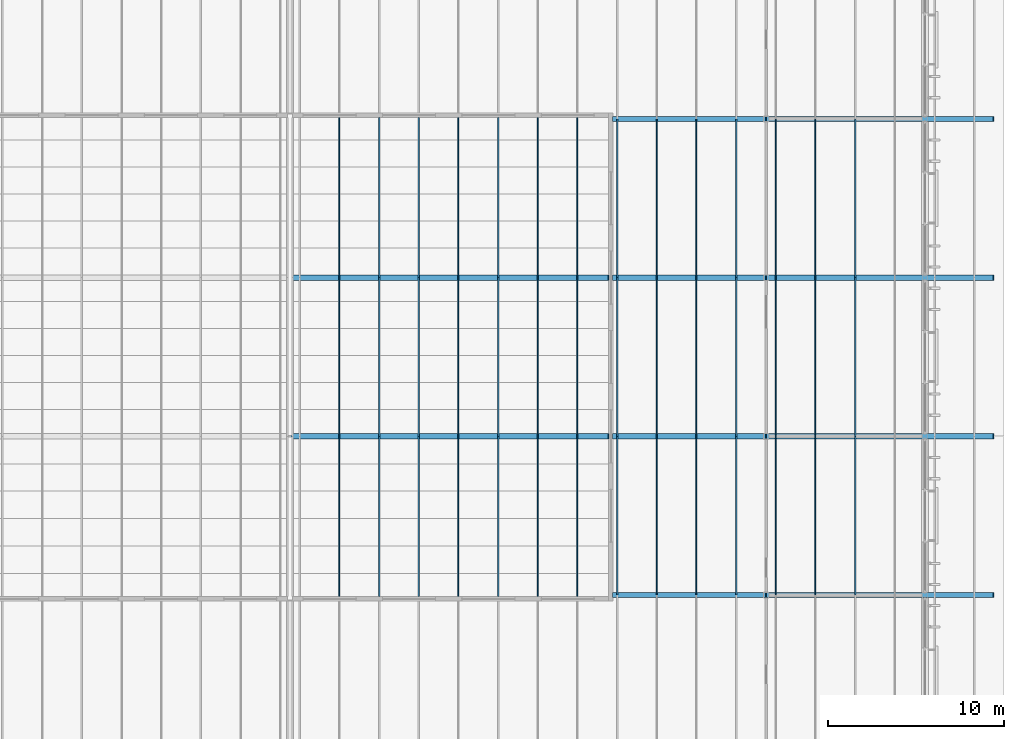
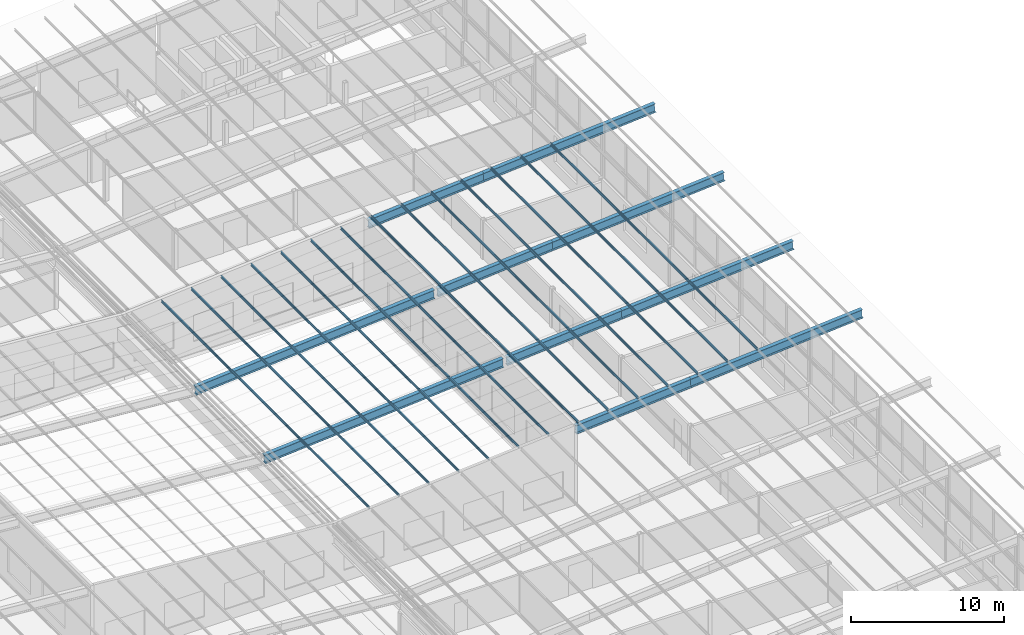
# One storey, part 45 of 85: 52 members.
"""IFC4 building model written with IfcOpenShell, lengths in metres."""

from ifc_helpers import new_model, si_unit, direction, frame, origin, origin_2d, place, context, subcontext, project, spatial, polyline, i_section, outline, extrude, material, material_profile, profile_set, type_object, element, save


model = new_model("IFC4")

# Units and contexts
model_context = context("Model", 3, precision=1e-05, world=origin(), true_north=direction((0.0, 1.0)))
body_context = subcontext(model_context, "Body", "Model", "MODEL_VIEW")
ifc_project = project(units=[si_unit("LENGTHUNIT", "METRE"), si_unit("AREAUNIT", "SQUARE_METRE"), si_unit("VOLUMEUNIT", "CUBIC_METRE"), si_unit("PLANEANGLEUNIT", "RADIAN"), si_unit("MASSUNIT", "GRAM", prefix="KILO")], contexts=[model_context])

# Site, building, storey
site_placement = place(None, origin())
site = spatial("IfcSite", under=ifc_project, at=site_placement, CompositionType="ELEMENT")
building_placement = place(site_placement, origin())
building = spatial("IfcBuilding", under=site, at=building_placement, Name="Opaline Strait Convention Centre", CompositionType="ELEMENT")
storey_placement = place(building_placement, frame((0.0, 0.0, 17.0)))
storey = spatial("IfcBuildingStorey", under=building, at=storey_placement, Name="L03", CompositionType="ELEMENT", Elevation=17.0)

# Members
ifc_material = material(Name="Steel Q355B", Category="steel")
ifc_material_profile_1 = material_profile(ifc_material, outline(polyline([(-0.034912109375, -0.10009765625), (0.034912109375, -0.10009765625), (0.034912109375, -0.080078125), (0.032470703125, -0.080078125), (0.032470703125, -0.097412109375), (-0.032470703125, -0.097412109375), (-0.032470703125, 0.097412109375), (0.032470703125, 0.097412109375), (0.032470703125, 0.080078125), (0.034912109375, 0.080078125), (0.034912109375, 0.10009765625), (-0.034912109375, 0.10009765625), (-0.034912109375, -0.10009765625)])), Name="C 200x70x20x2.5")
ifc_profile_set_1 = profile_set([ifc_material_profile_1], Name="Steel Q355B")
member_type_1 = type_object("IfcMemberType", Name="Roof purlin C 200x70x20x2.5", PredefinedType="PURLIN", material=ifc_profile_set_1)
member_1_placement = place(storey_placement, frame((326.800048828125, 125.925048828125, 5.02294921875), z_axis=(0.0, 1.0, 0.0), x_axis=(-0.996917333733, 0.0, 0.078459095728)))
element("IfcMember", 1, at=member_1_placement, inside=storey, type_object=member_type_1, Name="MRP1 purlin E wing 235", PredefinedType="PURLIN", context=body_context, shape_type="SweptSolid", body=[
    extrude(outline(polyline([(-0.034912109375, -0.10009765625), (0.034912109375, -0.10009765625), (0.034912109375, -0.080078125), (0.032470703125, -0.080078125), (0.032470703125, -0.097412109375), (-0.032470703125, -0.097412109375), (-0.032470703125, 0.097412109375), (0.032470703125, 0.097412109375), (0.032470703125, 0.080078125), (0.034912109375, 0.080078125), (0.034912109375, 0.10009765625), (-0.034912109375, 0.10009765625), (-0.034912109375, -0.10009765625)])), origin(), (0.0, 0.0, 1.0), 9.074951171875),
])
member_2_placement = place(storey_placement, frame((326.800048828125, 135.0, 5.02294921875), z_axis=(0.0, 1.0, 0.0), x_axis=(-0.996917333733, 0.0, 0.078459095728)))
element("IfcMember", 2, at=member_2_placement, inside=storey, type_object=member_type_1, Name="MRP1 purlin E wing 236", PredefinedType="PURLIN", context=body_context, shape_type="SweptSolid", body=[
    extrude(outline(polyline([(-0.034912109375, -0.10009765625), (0.034912109375, -0.10009765625), (0.034912109375, -0.080078125), (0.032470703125, -0.080078125), (0.032470703125, -0.097412109375), (-0.032470703125, -0.097412109375), (-0.032470703125, 0.097412109375), (0.032470703125, 0.097412109375), (0.032470703125, 0.080078125), (0.034912109375, 0.080078125), (0.034912109375, 0.10009765625), (-0.034912109375, 0.10009765625), (-0.034912109375, -0.10009765625)])), origin(), (0.0, 0.0, 1.0), 9.0),
])
for number, where, z_axis, x_axis, name in (
    (3, (326.800048828125, 144.0, 5.02294921875), (0.0, 1.0, 0.0), (-0.996917333733, 0.0, 0.078459095728), "MRP1 purlin E wing 237"),
    (4, (329.050048828125, 125.925048828125, 5.199951171875), (0.0, 1.0, 0.0), (-0.996917333733, 0.0, 0.078459095728), "MRP1 purlin E wing 245"),
):
    element("IfcMember", number, at=place(storey_placement, frame(where, z_axis=z_axis, x_axis=x_axis)), inside=storey, type_object=member_type_1, Name=name, PredefinedType="PURLIN", context=body_context, shape_type="SweptSolid", body=[
        extrude(outline(polyline([(-0.034912109375, -0.10009765625), (0.034912109375, -0.10009765625), (0.034912109375, -0.080078125), (0.032470703125, -0.080078125), (0.032470703125, -0.097412109375), (-0.032470703125, -0.097412109375), (-0.032470703125, 0.097412109375), (0.032470703125, 0.097412109375), (0.032470703125, 0.080078125), (0.034912109375, 0.080078125), (0.034912109375, 0.10009765625), (-0.034912109375, 0.10009765625), (-0.034912109375, -0.10009765625)])), origin(), (0.0, 0.0, 1.0), 9.074951171875),
    ])
member_3_placement = place(storey_placement, frame((329.050048828125, 135.0, 5.199951171875), z_axis=(0.0, 1.0, 0.0), x_axis=(-0.996917333733, 0.0, 0.078459095728)))
element("IfcMember", 5, at=member_3_placement, inside=storey, type_object=member_type_1, Name="MRP1 purlin E wing 246", PredefinedType="PURLIN", context=body_context, shape_type="SweptSolid", body=[
    extrude(outline(polyline([(-0.034912109375, -0.10009765625), (0.034912109375, -0.10009765625), (0.034912109375, -0.080078125), (0.032470703125, -0.080078125), (0.032470703125, -0.097412109375), (-0.032470703125, -0.097412109375), (-0.032470703125, 0.097412109375), (0.032470703125, 0.097412109375), (0.032470703125, 0.080078125), (0.034912109375, 0.080078125), (0.034912109375, 0.10009765625), (-0.034912109375, 0.10009765625), (-0.034912109375, -0.10009765625)])), origin(), (0.0, 0.0, 1.0), 9.0),
])
for number, where, z_axis, x_axis, name in (
    (6, (329.050048828125, 144.0, 5.199951171875), (0.0, 1.0, 0.0), (-0.996917333733, 0.0, 0.078459095728), "MRP1 purlin E wing 247"),
    (7, (331.300048828125, 125.925048828125, 5.376953125), (0.0, 1.0, 0.0), (-0.996917333733, 0.0, 0.078459095728), "MRP1 purlin E wing 255"),
):
    element("IfcMember", number, at=place(storey_placement, frame(where, z_axis=z_axis, x_axis=x_axis)), inside=storey, type_object=member_type_1, Name=name, PredefinedType="PURLIN", context=body_context, shape_type="SweptSolid", body=[
        extrude(outline(polyline([(-0.034912109375, -0.10009765625), (0.034912109375, -0.10009765625), (0.034912109375, -0.080078125), (0.032470703125, -0.080078125), (0.032470703125, -0.097412109375), (-0.032470703125, -0.097412109375), (-0.032470703125, 0.097412109375), (0.032470703125, 0.097412109375), (0.032470703125, 0.080078125), (0.034912109375, 0.080078125), (0.034912109375, 0.10009765625), (-0.034912109375, 0.10009765625), (-0.034912109375, -0.10009765625)])), origin(), (0.0, 0.0, 1.0), 9.074951171875),
    ])
member_4_placement = place(storey_placement, frame((331.300048828125, 135.0, 5.376953125), z_axis=(0.0, 1.0, 0.0), x_axis=(-0.996917333733, 0.0, 0.078459095728)))
element("IfcMember", 8, at=member_4_placement, inside=storey, type_object=member_type_1, Name="MRP1 purlin E wing 256", PredefinedType="PURLIN", context=body_context, shape_type="SweptSolid", body=[
    extrude(outline(polyline([(-0.034912109375, -0.10009765625), (0.034912109375, -0.10009765625), (0.034912109375, -0.080078125), (0.032470703125, -0.080078125), (0.032470703125, -0.097412109375), (-0.032470703125, -0.097412109375), (-0.032470703125, 0.097412109375), (0.032470703125, 0.097412109375), (0.032470703125, 0.080078125), (0.034912109375, 0.080078125), (0.034912109375, 0.10009765625), (-0.034912109375, 0.10009765625), (-0.034912109375, -0.10009765625)])), origin(), (0.0, 0.0, 1.0), 9.0),
])
for number, where, z_axis, x_axis, name in (
    (9, (331.300048828125, 144.0, 5.376953125), (0.0, 1.0, 0.0), (-0.996917333733, 0.0, 0.078459095728), "MRP1 purlin E wing 257"),
    (10, (333.550048828125, 125.925048828125, 5.553955078125), (0.0, 1.0, 0.0), (-0.996917333733, 0.0, 0.078459095728), "MRP1 purlin E wing 265"),
):
    element("IfcMember", number, at=place(storey_placement, frame(where, z_axis=z_axis, x_axis=x_axis)), inside=storey, type_object=member_type_1, Name=name, PredefinedType="PURLIN", context=body_context, shape_type="SweptSolid", body=[
        extrude(outline(polyline([(-0.034912109375, -0.10009765625), (0.034912109375, -0.10009765625), (0.034912109375, -0.080078125), (0.032470703125, -0.080078125), (0.032470703125, -0.097412109375), (-0.032470703125, -0.097412109375), (-0.032470703125, 0.097412109375), (0.032470703125, 0.097412109375), (0.032470703125, 0.080078125), (0.034912109375, 0.080078125), (0.034912109375, 0.10009765625), (-0.034912109375, 0.10009765625), (-0.034912109375, -0.10009765625)])), origin(), (0.0, 0.0, 1.0), 9.074951171875),
    ])
member_5_placement = place(storey_placement, frame((333.550048828125, 135.0, 5.553955078125), z_axis=(0.0, 1.0, 0.0), x_axis=(-0.996917333733, 0.0, 0.078459095728)))
element("IfcMember", 11, at=member_5_placement, inside=storey, type_object=member_type_1, Name="MRP1 purlin E wing 266", PredefinedType="PURLIN", context=body_context, shape_type="SweptSolid", body=[
    extrude(outline(polyline([(-0.034912109375, -0.10009765625), (0.034912109375, -0.10009765625), (0.034912109375, -0.080078125), (0.032470703125, -0.080078125), (0.032470703125, -0.097412109375), (-0.032470703125, -0.097412109375), (-0.032470703125, 0.097412109375), (0.032470703125, 0.097412109375), (0.032470703125, 0.080078125), (0.034912109375, 0.080078125), (0.034912109375, 0.10009765625), (-0.034912109375, 0.10009765625), (-0.034912109375, -0.10009765625)])), origin(), (0.0, 0.0, 1.0), 9.0),
])
for number, where, z_axis, x_axis, name in (
    (12, (333.550048828125, 144.0, 5.553955078125), (0.0, 1.0, 0.0), (-0.996917333733, 0.0, 0.078459095728), "MRP1 purlin E wing 267"),
    (13, (335.800048828125, 125.925048828125, 5.731201171875), (0.0, 1.0, 0.0), (-0.996917333733, 0.0, 0.078459095728), "MRP1 purlin E wing 275"),
):
    element("IfcMember", number, at=place(storey_placement, frame(where, z_axis=z_axis, x_axis=x_axis)), inside=storey, type_object=member_type_1, Name=name, PredefinedType="PURLIN", context=body_context, shape_type="SweptSolid", body=[
        extrude(outline(polyline([(-0.034912109375, -0.10009765625), (0.034912109375, -0.10009765625), (0.034912109375, -0.080078125), (0.032470703125, -0.080078125), (0.032470703125, -0.097412109375), (-0.032470703125, -0.097412109375), (-0.032470703125, 0.097412109375), (0.032470703125, 0.097412109375), (0.032470703125, 0.080078125), (0.034912109375, 0.080078125), (0.034912109375, 0.10009765625), (-0.034912109375, 0.10009765625), (-0.034912109375, -0.10009765625)])), origin(), (0.0, 0.0, 1.0), 9.074951171875),
    ])
member_6_placement = place(storey_placement, frame((335.800048828125, 135.0, 5.731201171875), z_axis=(0.0, 1.0, 0.0), x_axis=(-0.996917333733, 0.0, 0.078459095728)))
element("IfcMember", 14, at=member_6_placement, inside=storey, type_object=member_type_1, Name="MRP1 purlin E wing 276", PredefinedType="PURLIN", context=body_context, shape_type="SweptSolid", body=[
    extrude(outline(polyline([(-0.034912109375, -0.10009765625), (0.034912109375, -0.10009765625), (0.034912109375, -0.080078125), (0.032470703125, -0.080078125), (0.032470703125, -0.097412109375), (-0.032470703125, -0.097412109375), (-0.032470703125, 0.097412109375), (0.032470703125, 0.097412109375), (0.032470703125, 0.080078125), (0.034912109375, 0.080078125), (0.034912109375, 0.10009765625), (-0.034912109375, 0.10009765625), (-0.034912109375, -0.10009765625)])), origin(), (0.0, 0.0, 1.0), 9.0),
])
for number, where, z_axis, x_axis, name in (
    (15, (335.800048828125, 144.0, 5.731201171875), (0.0, 1.0, 0.0), (-0.996917333733, 0.0, 0.078459095728), "MRP1 purlin E wing 277"),
    (16, (338.050048828125, 125.925048828125, 5.908203125), (0.0, 1.0, 0.0), (-0.996917333733, 0.0, 0.078459095728), "MRP1 purlin E wing 285"),
):
    element("IfcMember", number, at=place(storey_placement, frame(where, z_axis=z_axis, x_axis=x_axis)), inside=storey, type_object=member_type_1, Name=name, PredefinedType="PURLIN", context=body_context, shape_type="SweptSolid", body=[
        extrude(outline(polyline([(-0.034912109375, -0.10009765625), (0.034912109375, -0.10009765625), (0.034912109375, -0.080078125), (0.032470703125, -0.080078125), (0.032470703125, -0.097412109375), (-0.032470703125, -0.097412109375), (-0.032470703125, 0.097412109375), (0.032470703125, 0.097412109375), (0.032470703125, 0.080078125), (0.034912109375, 0.080078125), (0.034912109375, 0.10009765625), (-0.034912109375, 0.10009765625), (-0.034912109375, -0.10009765625)])), origin(), (0.0, 0.0, 1.0), 9.074951171875),
    ])
member_7_placement = place(storey_placement, frame((338.050048828125, 135.0, 5.908203125), z_axis=(0.0, 1.0, 0.0), x_axis=(-0.996917333733, 0.0, 0.078459095728)))
element("IfcMember", 17, at=member_7_placement, inside=storey, type_object=member_type_1, Name="MRP1 purlin E wing 286", PredefinedType="PURLIN", context=body_context, shape_type="SweptSolid", body=[
    extrude(outline(polyline([(-0.034912109375, -0.10009765625), (0.034912109375, -0.10009765625), (0.034912109375, -0.080078125), (0.032470703125, -0.080078125), (0.032470703125, -0.097412109375), (-0.032470703125, -0.097412109375), (-0.032470703125, 0.097412109375), (0.032470703125, 0.097412109375), (0.032470703125, 0.080078125), (0.034912109375, 0.080078125), (0.034912109375, 0.10009765625), (-0.034912109375, 0.10009765625), (-0.034912109375, -0.10009765625)])), origin(), (0.0, 0.0, 1.0), 9.0),
])
for number, where, z_axis, x_axis, name in (
    (18, (338.050048828125, 144.0, 5.908203125), (0.0, 1.0, 0.0), (-0.996917333733, 0.0, 0.078459095728), "MRP1 purlin E wing 287"),
    (19, (340.300048828125, 125.925048828125, 6.085205078125), (0.0, 1.0, 0.0), (-0.996917333733, 0.0, 0.078459095728), "MRP1 purlin E wing 295"),
):
    element("IfcMember", number, at=place(storey_placement, frame(where, z_axis=z_axis, x_axis=x_axis)), inside=storey, type_object=member_type_1, Name=name, PredefinedType="PURLIN", context=body_context, shape_type="SweptSolid", body=[
        extrude(outline(polyline([(-0.034912109375, -0.10009765625), (0.034912109375, -0.10009765625), (0.034912109375, -0.080078125), (0.032470703125, -0.080078125), (0.032470703125, -0.097412109375), (-0.032470703125, -0.097412109375), (-0.032470703125, 0.097412109375), (0.032470703125, 0.097412109375), (0.032470703125, 0.080078125), (0.034912109375, 0.080078125), (0.034912109375, 0.10009765625), (-0.034912109375, 0.10009765625), (-0.034912109375, -0.10009765625)])), origin(), (0.0, 0.0, 1.0), 9.074951171875),
    ])
member_8_placement = place(storey_placement, frame((340.300048828125, 135.0, 6.085205078125), z_axis=(0.0, 1.0, 0.0), x_axis=(-0.996917333733, 0.0, 0.078459095728)))
element("IfcMember", 20, at=member_8_placement, inside=storey, type_object=member_type_1, Name="MRP1 purlin E wing 296", PredefinedType="PURLIN", context=body_context, shape_type="SweptSolid", body=[
    extrude(outline(polyline([(-0.034912109375, -0.10009765625), (0.034912109375, -0.10009765625), (0.034912109375, -0.080078125), (0.032470703125, -0.080078125), (0.032470703125, -0.097412109375), (-0.032470703125, -0.097412109375), (-0.032470703125, 0.097412109375), (0.032470703125, 0.097412109375), (0.032470703125, 0.080078125), (0.034912109375, 0.080078125), (0.034912109375, 0.10009765625), (-0.034912109375, 0.10009765625), (-0.034912109375, -0.10009765625)])), origin(), (0.0, 0.0, 1.0), 9.0),
])
member_9_placement = place(storey_placement, frame((340.300048828125, 144.0, 6.085205078125), z_axis=(0.0, 1.0, 0.0), x_axis=(-0.996917333733, 0.0, 0.078459095728)))
element("IfcMember", 21, at=member_9_placement, inside=storey, type_object=member_type_1, Name="MRP1 purlin E wing 297", PredefinedType="PURLIN", context=body_context, shape_type="SweptSolid", body=[
    extrude(outline(polyline([(-0.034912109375, -0.10009765625), (0.034912109375, -0.10009765625), (0.034912109375, -0.080078125), (0.032470703125, -0.080078125), (0.032470703125, -0.097412109375), (-0.032470703125, -0.097412109375), (-0.032470703125, 0.097412109375), (0.032470703125, 0.097412109375), (0.032470703125, 0.080078125), (0.034912109375, 0.080078125), (0.034912109375, 0.10009765625), (-0.034912109375, 0.10009765625), (-0.034912109375, -0.10009765625)])), origin(), (0.0, 0.0, 1.0), 9.074951171875),
])
for number, where, z_axis, x_axis, name in (
    (22, (342.550048828125, 126.0, 6.262451171875), (0.0, 1.0, 0.0), (-0.996917333733, 0.0, 0.078459095728), "MRP1 purlin E wing 305"),
    (23, (342.550048828125, 135.0, 6.262451171875), (0.0, 1.0, 0.0), (-0.996917333733, 0.0, 0.078459095728), "MRP1 purlin E wing 306"),
    (24, (342.550048828125, 144.0, 6.262451171875), (0.0, 1.0, 0.0), (-0.996917333733, 0.0, 0.078459095728), "MRP1 purlin E wing 307"),
    (25, (344.800048828125, 126.0, 6.439453125), (0.0, 1.0, 0.0), (-0.996917333733, 0.0, 0.078459095728), "MRP1 purlin E wing 315"),
    (26, (344.800048828125, 135.0, 6.439453125), (0.0, 1.0, 0.0), (-0.996917333733, 0.0, 0.078459095728), "MRP1 purlin E wing 316"),
    (27, (344.800048828125, 144.0, 6.439453125), (0.0, 1.0, 0.0), (-0.996917333733, 0.0, 0.078459095728), "MRP1 purlin E wing 317"),
    (28, (347.050048828125, 126.0, 6.616455078125), (0.0, 1.0, 0.0), (-0.996917333733, 0.0, 0.078459095728), "MRP1 purlin E wing 325"),
    (29, (347.050048828125, 135.0, 6.616455078125), (0.0, 1.0, 0.0), (-0.996917333733, 0.0, 0.078459095728), "MRP1 purlin E wing 326"),
    (30, (347.050048828125, 144.0, 6.616455078125), (0.0, 1.0, 0.0), (-0.996917333733, 0.0, 0.078459095728), "MRP1 purlin E wing 327"),
    (31, (349.300048828125, 126.0, 6.793701171875), (0.0, 1.0, 0.0), (-0.996917333733, 0.0, 0.078459095728), "MRP1 purlin E wing 335"),
    (32, (349.300048828125, 135.0, 6.793701171875), (0.0, 1.0, 0.0), (-0.996917333733, 0.0, 0.078459095728), "MRP1 purlin E wing 336"),
    (33, (349.300048828125, 144.0, 6.793701171875), (0.0, 1.0, 0.0), (-0.996917333733, 0.0, 0.078459095728), "MRP1 purlin E wing 337"),
    (34, (351.550048828125, 126.0, 6.970703125), (0.0, 1.0, 0.0), (-0.996917333733, 0.0, 0.078459095728), "MRP1 purlin E wing 345"),
    (35, (351.550048828125, 135.0, 6.970703125), (0.0, 1.0, 0.0), (-0.996917333733, 0.0, 0.078459095728), "MRP1 purlin E wing 346"),
    (36, (351.550048828125, 144.0, 6.970703125), (0.0, 1.0, 0.0), (-0.996917333733, 0.0, 0.078459095728), "MRP1 purlin E wing 347"),
    (37, (353.800048828125, 126.0, 7.147705078125), (0.0, 1.0, 0.0), (-0.996917333733, 0.0, 0.078459095728), "MRP1 purlin E wing 355"),
    (38, (353.800048828125, 135.0, 7.147705078125), (0.0, 1.0, 0.0), (-0.996917333733, 0.0, 0.078459095728), "MRP1 purlin E wing 356"),
    (39, (353.800048828125, 144.0, 7.147705078125), (0.0, 1.0, 0.0), (-0.996917333733, 0.0, 0.078459095728), "MRP1 purlin E wing 357"),
    (40, (356.050048828125, 126.0, 7.324951171875), (0.0, 1.0, 0.0), (-0.996917333733, 0.0, 0.078459095728), "MRP1 purlin E wing 365"),
    (41, (356.050048828125, 135.0, 7.324951171875), (0.0, 1.0, 0.0), (-0.996917333733, 0.0, 0.078459095728), "MRP1 purlin E wing 366"),
    (42, (356.050048828125, 144.0, 7.324951171875), (0.0, 1.0, 0.0), (-0.996917333733, 0.0, 0.078459095728), "MRP1 purlin E wing 367"),
):
    element("IfcMember", number, at=place(storey_placement, frame(where, z_axis=z_axis, x_axis=x_axis)), inside=storey, type_object=member_type_1, Name=name, PredefinedType="PURLIN", context=body_context, shape_type="SweptSolid", body=[
        extrude(outline(polyline([(-0.034912109375, -0.10009765625), (0.034912109375, -0.10009765625), (0.034912109375, -0.080078125), (0.032470703125, -0.080078125), (0.032470703125, -0.097412109375), (-0.032470703125, -0.097412109375), (-0.032470703125, 0.097412109375), (0.032470703125, 0.097412109375), (0.032470703125, 0.080078125), (0.034912109375, 0.080078125), (0.034912109375, 0.10009765625), (-0.034912109375, 0.10009765625), (-0.034912109375, -0.10009765625)])), origin(), (0.0, 0.0, 1.0), 9.0),
    ])
ifc_material_profile_2 = material_profile(ifc_material, i_section(OverallWidth=0.300048828125, OverallDepth=0.699951171875, WebThickness=0.012939453125, FlangeThickness=0.02392578125, FilletRadius=0.01806640625, at=origin_2d()), Name="HN 700x300x13x24")
ifc_profile_set_2 = profile_set([ifc_material_profile_2], Name="Steel Q355B")
member_type_2 = type_object("IfcMemberType", Name="Roof rafter HN 700x300x13x24", PredefinedType="RAFTER", material=ifc_profile_set_2)
member_10_placement = place(storey_placement, frame((342.324951171875, 126.0, 5.793212890625), z_axis=(0.996916253409, 0.0, 0.078472821343), x_axis=(0.0, 1.0, 0.0)))
element("IfcMember", 43, at=member_10_placement, inside=storey, type_object=member_type_2, Name="MRR1 rafter y 126", PredefinedType="RAFTER", context=body_context, shape_type="SweptSolid", body=[
    extrude(i_section(OverallWidth=0.300048828125, OverallDepth=0.699951171875, WebThickness=0.012939453125, FlangeThickness=0.02392578125, FilletRadius=0.01806640625, at=origin_2d()), origin(), (0.0, 0.0, 1.0), 8.701904296875),
])
member_11_placement = place(storey_placement, frame((351.0, 126.0, 6.47607421875), z_axis=(0.996917984192, 0.0, 0.07845083043), x_axis=(0.0, 1.0, 0.0)))
element("IfcMember", 44, at=member_11_placement, inside=storey, type_object=member_type_2, Name="MRR1 rafter y 126", PredefinedType="RAFTER", context=body_context, shape_type="SweptSolid", body=[
    extrude(i_section(OverallWidth=0.300048828125, OverallDepth=0.699951171875, WebThickness=0.012939453125, FlangeThickness=0.02392578125, FilletRadius=0.01806640625, at=origin_2d()), origin(), (0.0, 0.0, 1.0), 12.939697265625),
])
member_12_placement = place(storey_placement, frame((324.10009765625, 135.0, 4.35888671875), z_axis=(0.996916712186, 0.0, 0.07846699283), x_axis=(0.0, 1.0, 0.0)))
element("IfcMember", 45, at=member_12_placement, inside=storey, type_object=member_type_2, Name="MRR1 rafter y 135", PredefinedType="RAFTER", context=body_context, shape_type="SweptSolid", body=[
    extrude(i_section(OverallWidth=0.300048828125, OverallDepth=0.699951171875, WebThickness=0.012939453125, FlangeThickness=0.02392578125, FilletRadius=0.01806640625, at=origin_2d()), origin(), (0.0, 0.0, 1.0), 18.030517578125),
])
member_13_placement = place(storey_placement, frame((342.324951171875, 135.0, 5.793212890625), z_axis=(0.996916253409, 0.0, 0.078472821343), x_axis=(0.0, 1.0, 0.0)))
element("IfcMember", 46, at=member_13_placement, inside=storey, type_object=member_type_2, Name="MRR1 rafter y 135", PredefinedType="RAFTER", context=body_context, shape_type="SweptSolid", body=[
    extrude(i_section(OverallWidth=0.300048828125, OverallDepth=0.699951171875, WebThickness=0.012939453125, FlangeThickness=0.02392578125, FilletRadius=0.01806640625, at=origin_2d()), origin(), (0.0, 0.0, 1.0), 8.701904296875),
])
member_14_placement = place(storey_placement, frame((351.0, 135.0, 6.47607421875), z_axis=(0.996917984192, 0.0, 0.07845083043), x_axis=(0.0, 1.0, 0.0)))
element("IfcMember", 47, at=member_14_placement, inside=storey, type_object=member_type_2, Name="MRR1 rafter y 135", PredefinedType="RAFTER", context=body_context, shape_type="SweptSolid", body=[
    extrude(i_section(OverallWidth=0.300048828125, OverallDepth=0.699951171875, WebThickness=0.012939453125, FlangeThickness=0.02392578125, FilletRadius=0.01806640625, at=origin_2d()), origin(), (0.0, 0.0, 1.0), 12.939697265625),
])
member_15_placement = place(storey_placement, frame((324.10009765625, 144.0, 4.35888671875), z_axis=(0.996916712186, 0.0, 0.07846699283), x_axis=(0.0, 1.0, 0.0)))
element("IfcMember", 48, at=member_15_placement, inside=storey, type_object=member_type_2, Name="MRR1 rafter y 144", PredefinedType="RAFTER", context=body_context, shape_type="SweptSolid", body=[
    extrude(i_section(OverallWidth=0.300048828125, OverallDepth=0.699951171875, WebThickness=0.012939453125, FlangeThickness=0.02392578125, FilletRadius=0.01806640625, at=origin_2d()), origin(), (0.0, 0.0, 1.0), 18.030517578125),
])
member_16_placement = place(storey_placement, frame((342.324951171875, 144.0, 5.793212890625), z_axis=(0.996916253409, 0.0, 0.078472821343), x_axis=(0.0, 1.0, 0.0)))
element("IfcMember", 49, at=member_16_placement, inside=storey, type_object=member_type_2, Name="MRR1 rafter y 144", PredefinedType="RAFTER", context=body_context, shape_type="SweptSolid", body=[
    extrude(i_section(OverallWidth=0.300048828125, OverallDepth=0.699951171875, WebThickness=0.012939453125, FlangeThickness=0.02392578125, FilletRadius=0.01806640625, at=origin_2d()), origin(), (0.0, 0.0, 1.0), 8.701904296875),
])
member_17_placement = place(storey_placement, frame((351.0, 144.0, 6.47607421875), z_axis=(0.996917984192, 0.0, 0.07845083043), x_axis=(0.0, 1.0, 0.0)))
element("IfcMember", 50, at=member_17_placement, inside=storey, type_object=member_type_2, Name="MRR1 rafter y 144", PredefinedType="RAFTER", context=body_context, shape_type="SweptSolid", body=[
    extrude(i_section(OverallWidth=0.300048828125, OverallDepth=0.699951171875, WebThickness=0.012939453125, FlangeThickness=0.02392578125, FilletRadius=0.01806640625, at=origin_2d()), origin(), (0.0, 0.0, 1.0), 12.939697265625),
])
member_18_placement = place(storey_placement, frame((342.324951171875, 153.0, 5.793212890625), z_axis=(0.996916253409, 0.0, 0.078472821343), x_axis=(0.0, 1.0, 0.0)))
element("IfcMember", 51, at=member_18_placement, inside=storey, type_object=member_type_2, Name="MRR1 rafter y 153", PredefinedType="RAFTER", context=body_context, shape_type="SweptSolid", body=[
    extrude(i_section(OverallWidth=0.300048828125, OverallDepth=0.699951171875, WebThickness=0.012939453125, FlangeThickness=0.02392578125, FilletRadius=0.01806640625, at=origin_2d()), origin(), (0.0, 0.0, 1.0), 8.701904296875),
])
member_19_placement = place(storey_placement, frame((351.0, 153.0, 6.47607421875), z_axis=(0.996917984192, 0.0, 0.07845083043), x_axis=(0.0, 1.0, 0.0)))
element("IfcMember", 52, at=member_19_placement, inside=storey, type_object=member_type_2, Name="MRR1 rafter y 153", PredefinedType="RAFTER", context=body_context, shape_type="SweptSolid", body=[
    extrude(i_section(OverallWidth=0.300048828125, OverallDepth=0.699951171875, WebThickness=0.012939453125, FlangeThickness=0.02392578125, FilletRadius=0.01806640625, at=origin_2d()), origin(), (0.0, 0.0, 1.0), 12.939697265625),
])

save(model, "model.ifc")
